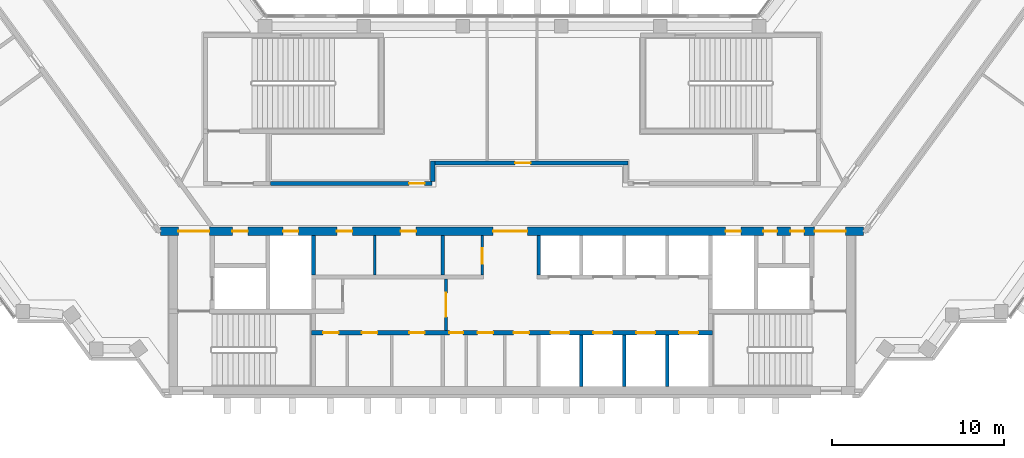
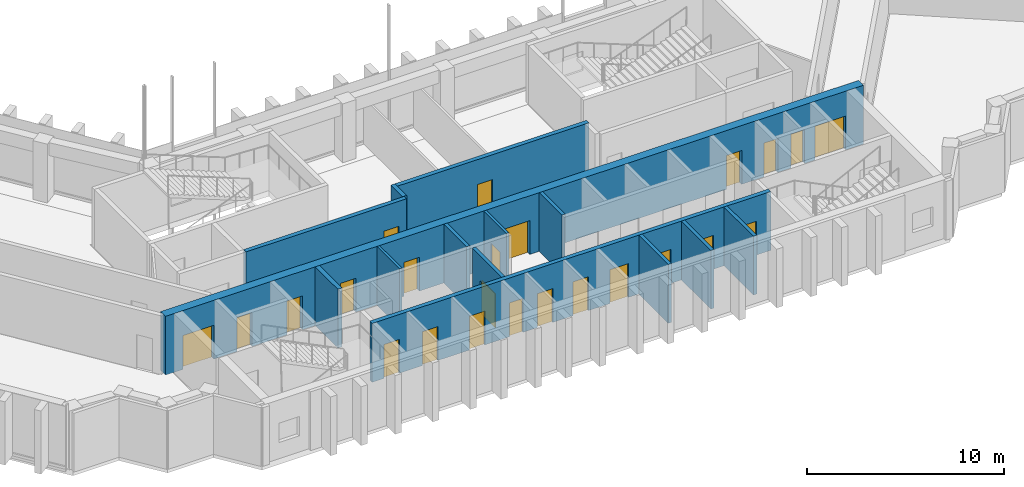
# One storey, part 8 of 13: 24 doors, 14 walls, 24 openings.
"""IFC4 building model written with IfcOpenShell, lengths in metres."""

from ifc_helpers import new_model, si_unit, direction, frame, frame_2d, origin, place, context, subcontext, project, spatial, rectangle, extrude, material, layer, layer_set, type_object, element, fill, save


model = new_model("IFC4")

# Units and contexts
model_context = context("Model", 3, precision=1e-05, world=origin(), true_north=direction((0.0, 1.0)))
body_context = subcontext(model_context, "Body", "Model", "MODEL_VIEW")
ifc_project = project(units=[si_unit("LENGTHUNIT", "METRE"), si_unit("AREAUNIT", "SQUARE_METRE"), si_unit("VOLUMEUNIT", "CUBIC_METRE"), si_unit("PLANEANGLEUNIT", "RADIAN"), si_unit("MASSUNIT", "GRAM", prefix="KILO")], contexts=[model_context])

# Site, building, storey
site_placement = place(None, origin())
site = spatial("IfcSite", under=ifc_project, at=site_placement, CompositionType="ELEMENT")
building_placement = place(site_placement, origin())
building = spatial("IfcBuilding", under=site, at=building_placement, Name="Quipu Civic Tower", CompositionType="ELEMENT")
storey_placement = place(building_placement, frame((0.0, 0.0, 148.0)))
storey = spatial("IfcBuildingStorey", under=building, at=storey_placement, Name="L34", CompositionType="ELEMENT", Elevation=148.0)

# Wall, openings, doors
ifc_material_1 = material(Name="Concrete C70/85", Category="concrete")
ifc_layer_1 = layer(ifc_material_1, 0.25)
ifc_layer_set_1 = layer_set([ifc_layer_1], Name="Concrete C70/85")
wall_type_1 = type_object("IfcWallType", Name="Core wall 250", PredefinedType="SHEAR", material=ifc_layer_set_1)
wall_1_placement = place(storey_placement, frame((11.699951171875, -7.375, 0.0), z_axis=(0.0, 0.0, 1.0), x_axis=(-1.0, 0.0, 0.0)))
wall_1 = element("IfcWall", 1, at=wall_1_placement, inside=storey, type_object=wall_type_1, Name="Core wall", PredefinedType="SHEAR", context=body_context, shape_type="SweptSolid", body=[
    extrude(rectangle(XDim=23.39990234375, YDim=0.25, at=frame_2d((11.699951171875, 0.0))), origin(), (0.0, 0.0, 1.0), 3.64990234375),
])
opening_1_placement = place(wall_1_placement, frame((21.81201171875, 0.0, 0.0)))
opening_1 = element("IfcOpeningElement", 2, at=opening_1_placement, cuts=wall_1, Name="Opening CD-01", PredefinedType="OPENING", context=body_context, shape_type="SweptSolid", body=[
    extrude(rectangle(XDim=0.89990234375, YDim=2.10009765625, at=frame_2d((0.449951171875, 1.050048828125))), frame((0.0, 0.135009765625, 0.0), z_axis=(0.0, -1.0, 0.0), x_axis=(1.0, 0.0, 0.0)), (0.0, 0.0, 1.0), 0.27001953125),
])
opening_2_placement = place(wall_1_placement, frame((19.550048828125, 0.0, 0.0)))
opening_2 = element("IfcOpeningElement", 3, at=opening_2_placement, cuts=wall_1, Name="Opening CD-02", PredefinedType="OPENING", context=body_context, shape_type="SweptSolid", body=[
    extrude(rectangle(XDim=0.89990234375, YDim=2.10009765625, at=frame_2d((0.449951171875, 1.050048828125))), frame((0.0, 0.135009765625, 0.0), z_axis=(0.0, -1.0, 0.0), x_axis=(1.0, 0.0, 0.0)), (0.0, 0.0, 1.0), 0.27001953125),
])
opening_3_placement = place(wall_1_placement, frame((16.787109375, 0.0, 0.0)))
opening_3 = element("IfcOpeningElement", 4, at=opening_3_placement, cuts=wall_1, Name="Opening CD-03", PredefinedType="OPENING", context=body_context, shape_type="SweptSolid", body=[
    extrude(rectangle(XDim=0.89990234375, YDim=2.10009765625, at=frame_2d((0.449951171875, 1.050048828125))), frame((0.0, 0.135009765625, 0.0), z_axis=(0.0, -1.0, 0.0), x_axis=(1.0, 0.0, 0.0)), (0.0, 0.0, 1.0), 0.27001953125),
])
opening_4_placement = place(wall_1_placement, frame((14.550048828125, 0.0, 0.0)))
opening_4 = element("IfcOpeningElement", 5, at=opening_4_placement, cuts=wall_1, Name="Opening CD-04", PredefinedType="OPENING", context=body_context, shape_type="SweptSolid", body=[
    extrude(rectangle(XDim=0.800048828125, YDim=2.10009765625, at=frame_2d((0.39990234375, 1.050048828125))), frame((0.0, 0.135009765625, 0.0), z_axis=(0.0, -1.0, 0.0), x_axis=(1.0, 0.0, 0.0)), (0.0, 0.0, 1.0), 0.27001953125),
])
opening_5_placement = place(wall_1_placement, frame((12.800048828125, 0.0, 0.0)))
opening_5 = element("IfcOpeningElement", 6, at=opening_5_placement, cuts=wall_1, Name="Opening CD-05", PredefinedType="OPENING", context=body_context, shape_type="SweptSolid", body=[
    extrude(rectangle(XDim=0.89990234375, YDim=2.10009765625, at=frame_2d((0.449951171875, 1.050048828125))), frame((0.0, 0.135009765625, 0.0), z_axis=(0.0, -1.0, 0.0), x_axis=(1.0, 0.0, 0.0)), (0.0, 0.0, 1.0), 0.27001953125),
])
opening_6_placement = place(wall_1_placement, frame((10.699951171875, 0.0, 0.0)))
opening_6 = element("IfcOpeningElement", 7, at=opening_6_placement, cuts=wall_1, Name="Opening CD-06", PredefinedType="OPENING", context=body_context, shape_type="SweptSolid", body=[
    extrude(rectangle(XDim=0.89990234375, YDim=2.10009765625, at=frame_2d((0.449951171875, 1.050048828125))), frame((0.0, 0.135009765625, 0.0), z_axis=(0.0, -1.0, 0.0), x_axis=(1.0, 0.0, 0.0)), (0.0, 0.0, 1.0), 0.27001953125),
])
opening_7_placement = place(wall_1_placement, frame((8.35009765625, 0.0, 0.0)))
opening_7 = element("IfcOpeningElement", 8, at=opening_7_placement, cuts=wall_1, Name="Opening LD-ML1", PredefinedType="OPENING", context=body_context, shape_type="SweptSolid", body=[
    extrude(rectangle(XDim=1.10009765625, YDim=2.10009765625, at=frame_2d((0.550048828125, 1.050048828125))), frame((0.0, 0.135009765625, 0.0), z_axis=(0.0, -1.0, 0.0), x_axis=(1.0, 0.0, 0.0)), (0.0, 0.0, 1.0), 0.27001953125),
])
opening_8_placement = place(wall_1_placement, frame((5.85009765625, 0.0, 0.0)))
opening_8 = element("IfcOpeningElement", 9, at=opening_8_placement, cuts=wall_1, Name="Opening LD-ML2", PredefinedType="OPENING", context=body_context, shape_type="SweptSolid", body=[
    extrude(rectangle(XDim=1.10009765625, YDim=2.10009765625, at=frame_2d((0.550048828125, 1.050048828125))), frame((0.0, 0.135009765625, 0.0), z_axis=(0.0, -1.0, 0.0), x_axis=(1.0, 0.0, 0.0)), (0.0, 0.0, 1.0), 0.27001953125),
])
opening_9_placement = place(wall_1_placement, frame((3.35009765625, 0.0, 0.0)))
opening_9 = element("IfcOpeningElement", 10, at=opening_9_placement, cuts=wall_1, Name="Opening LD-ML3", PredefinedType="OPENING", context=body_context, shape_type="SweptSolid", body=[
    extrude(rectangle(XDim=1.10009765625, YDim=2.10009765625, at=frame_2d((0.550048828125, 1.050048828125))), frame((0.0, 0.135009765625, 0.0), z_axis=(0.0, -1.0, 0.0), x_axis=(1.0, 0.0, 0.0)), (0.0, 0.0, 1.0), 0.27001953125),
])
opening_10_placement = place(wall_1_placement, frame((0.85009765625, 0.0, 0.0)))
opening_10 = element("IfcOpeningElement", 11, at=opening_10_placement, cuts=wall_1, Name="Opening LD-ML4", PredefinedType="OPENING", context=body_context, shape_type="SweptSolid", body=[
    extrude(rectangle(XDim=1.10009765625, YDim=2.10009765625, at=frame_2d((0.550048828125, 1.050048828125))), frame((0.0, 0.135009765625, 0.0), z_axis=(0.0, -1.0, 0.0), x_axis=(1.0, 0.0, 0.0)), (0.0, 0.0, 1.0), 0.27001953125),
])
ifc_material_2 = material(Name="Fire rated steel door", Category="steel")
door_type_1 = type_object("IfcDoorType", Name="Fire door FD60 800 x 2100", OperationType="NOTDEFINED", PredefinedType="DOOR", material=ifc_material_2)
door_1_placement = place(opening_4_placement, origin())
door_1 = element("IfcDoor", 12, at=door_1_placement, inside=storey, type_object=door_type_1, Name="Door", OperationType="SINGLE_SWING_RIGHT", OverallHeight=2.10009765625, OverallWidth=0.800048828125, PredefinedType="DOOR", context=body_context, shape_type="SweptSolid", body=[
    extrude(rectangle(XDim=0.800048828125, YDim=2.10009765625, at=frame_2d((0.39990234375, 1.050048828125))), frame((0.0, 0.02490234375, 0.0), z_axis=(0.0, -1.0, 0.0), x_axis=(1.0, 0.0, 0.0)), (0.0, 0.0, 1.0), 0.050048828125),
])
fill(opening_4, door_1)
ifc_material_3 = material(Name="Fire rated steel door", Category="steel")
door_type_2 = type_object("IfcDoorType", Name="Fire door FD60 900 x 2100", OperationType="NOTDEFINED", PredefinedType="DOOR", material=ifc_material_3)
door_2_placement = place(opening_1_placement, origin())
door_2 = element("IfcDoor", 13, at=door_2_placement, inside=storey, type_object=door_type_2, Name="Door", OperationType="SINGLE_SWING_RIGHT", OverallHeight=2.10009765625, OverallWidth=0.89990234375, PredefinedType="DOOR", context=body_context, shape_type="SweptSolid", body=[
    extrude(rectangle(XDim=0.89990234375, YDim=2.10009765625, at=frame_2d((0.449951171875, 1.050048828125))), frame((0.0, 0.02490234375, 0.0), z_axis=(0.0, -1.0, 0.0), x_axis=(1.0, 0.0, 0.0)), (0.0, 0.0, 1.0), 0.050048828125),
])
fill(opening_1, door_2)
door_3_placement = place(opening_2_placement, origin())
door_3 = element("IfcDoor", 14, at=door_3_placement, inside=storey, type_object=door_type_2, Name="Door", OperationType="SINGLE_SWING_RIGHT", OverallHeight=2.10009765625, OverallWidth=0.89990234375, PredefinedType="DOOR", context=body_context, shape_type="SweptSolid", body=[
    extrude(rectangle(XDim=0.89990234375, YDim=2.10009765625, at=frame_2d((0.449951171875, 1.050048828125))), frame((0.0, 0.02490234375, 0.0), z_axis=(0.0, -1.0, 0.0), x_axis=(1.0, 0.0, 0.0)), (0.0, 0.0, 1.0), 0.050048828125),
])
fill(opening_2, door_3)
door_4_placement = place(opening_3_placement, origin())
door_4 = element("IfcDoor", 15, at=door_4_placement, inside=storey, type_object=door_type_2, Name="Door", OperationType="SINGLE_SWING_RIGHT", OverallHeight=2.10009765625, OverallWidth=0.89990234375, PredefinedType="DOOR", context=body_context, shape_type="SweptSolid", body=[
    extrude(rectangle(XDim=0.89990234375, YDim=2.10009765625, at=frame_2d((0.449951171875, 1.050048828125))), frame((0.0, 0.02490234375, 0.0), z_axis=(0.0, -1.0, 0.0), x_axis=(1.0, 0.0, 0.0)), (0.0, 0.0, 1.0), 0.050048828125),
])
fill(opening_3, door_4)
door_5_placement = place(opening_5_placement, origin())
door_5 = element("IfcDoor", 16, at=door_5_placement, inside=storey, type_object=door_type_2, Name="WC door", OperationType="SINGLE_SWING_RIGHT", OverallHeight=2.10009765625, OverallWidth=0.89990234375, PredefinedType="DOOR", context=body_context, shape_type="SweptSolid", body=[
    extrude(rectangle(XDim=0.89990234375, YDim=2.10009765625, at=frame_2d((0.449951171875, 1.050048828125))), frame((0.0, 0.02490234375, 0.0), z_axis=(0.0, -1.0, 0.0), x_axis=(1.0, 0.0, 0.0)), (0.0, 0.0, 1.0), 0.050048828125),
])
fill(opening_5, door_5)
door_6_placement = place(opening_6_placement, origin())
door_6 = element("IfcDoor", 17, at=door_6_placement, inside=storey, type_object=door_type_2, Name="WC door", OperationType="SINGLE_SWING_LEFT", OverallHeight=2.10009765625, OverallWidth=0.89990234375, PredefinedType="DOOR", context=body_context, shape_type="SweptSolid", body=[
    extrude(rectangle(XDim=0.89990234375, YDim=2.10009765625, at=frame_2d((0.449951171875, 1.050048828125))), frame((0.0, 0.02490234375, 0.0), z_axis=(0.0, -1.0, 0.0), x_axis=(1.0, 0.0, 0.0)), (0.0, 0.0, 1.0), 0.050048828125),
])
fill(opening_6, door_6)
ifc_material_4 = material(Name="Stainless steel", Category="steel")
door_type_3 = type_object("IfcDoorType", Name="Lift landing door 1100 x 2100", OperationType="DOUBLE_DOOR_SLIDING", PredefinedType="DOOR", material=ifc_material_4)
door_7_placement = place(opening_7_placement, origin())
door_7 = element("IfcDoor", 18, at=door_7_placement, inside=storey, type_object=door_type_3, Name="Landing door ML1", OperationType="DOUBLE_DOOR_SLIDING", OverallHeight=2.10009765625, OverallWidth=1.10009765625, PredefinedType="DOOR", context=body_context, shape_type="SweptSolid", body=[
    extrude(rectangle(XDim=1.10009765625, YDim=2.10009765625, at=frame_2d((0.550048828125, 1.050048828125))), frame((0.0, 0.02490234375, 0.0), z_axis=(0.0, -1.0, 0.0), x_axis=(1.0, 0.0, 0.0)), (0.0, 0.0, 1.0), 0.050048828125),
])
fill(opening_7, door_7)
door_8_placement = place(opening_8_placement, origin())
door_8 = element("IfcDoor", 19, at=door_8_placement, inside=storey, type_object=door_type_3, Name="Landing door ML2", OperationType="DOUBLE_DOOR_SLIDING", OverallHeight=2.10009765625, OverallWidth=1.10009765625, PredefinedType="DOOR", context=body_context, shape_type="SweptSolid", body=[
    extrude(rectangle(XDim=1.10009765625, YDim=2.10009765625, at=frame_2d((0.550048828125, 1.050048828125))), frame((0.0, 0.02490234375, 0.0), z_axis=(0.0, -1.0, 0.0), x_axis=(1.0, 0.0, 0.0)), (0.0, 0.0, 1.0), 0.050048828125),
])
fill(opening_8, door_8)
door_9_placement = place(opening_9_placement, origin())
door_9 = element("IfcDoor", 20, at=door_9_placement, inside=storey, type_object=door_type_3, Name="Landing door ML3", OperationType="DOUBLE_DOOR_SLIDING", OverallHeight=2.10009765625, OverallWidth=1.10009765625, PredefinedType="DOOR", context=body_context, shape_type="SweptSolid", body=[
    extrude(rectangle(XDim=1.10009765625, YDim=2.10009765625, at=frame_2d((0.550048828125, 1.050048828125))), frame((0.0, 0.02490234375, 0.0), z_axis=(0.0, -1.0, 0.0), x_axis=(1.0, 0.0, 0.0)), (0.0, 0.0, 1.0), 0.050048828125),
])
fill(opening_9, door_9)
door_10_placement = place(opening_10_placement, origin())
door_10 = element("IfcDoor", 21, at=door_10_placement, inside=storey, type_object=door_type_3, Name="Landing door ML4", OperationType="DOUBLE_DOOR_SLIDING", OverallHeight=2.10009765625, OverallWidth=1.10009765625, PredefinedType="DOOR", context=body_context, shape_type="SweptSolid", body=[
    extrude(rectangle(XDim=1.10009765625, YDim=2.10009765625, at=frame_2d((0.550048828125, 1.050048828125))), frame((0.0, 0.02490234375, 0.0), z_axis=(0.0, -1.0, 0.0), x_axis=(1.0, 0.0, 0.0)), (0.0, 0.0, 1.0), 0.050048828125),
])
fill(opening_10, door_10)

# Wall
wall_2_placement = place(storey_placement, frame((-11.574951171875, -4.0, 0.0), z_axis=(0.0, 0.0, 1.0), x_axis=(0.0, 1.0, 0.0)))
element("IfcWall", 22, at=wall_2_placement, inside=storey, type_object=wall_type_1, Name="Core wall", PredefinedType="SHEAR", context=body_context, shape_type="SweptSolid", body=[
    extrude(rectangle(XDim=2.300048828125, YDim=0.25, at=frame_2d((1.14990234375, 0.0))), origin(), (0.0, 0.0, 1.0), 3.64990234375),
])

# Wall, openings, doors
ifc_material_5 = material(Name="Concrete C70/85", Category="concrete")
ifc_layer_2 = layer(ifc_material_5, 0.5)
ifc_layer_set_2 = layer_set([ifc_layer_2], Name="Concrete C70/85")
wall_type_2 = type_object("IfcWallType", Name="Core wall 500", PredefinedType="SHEAR", material=ifc_layer_set_2)
wall_3_placement = place(storey_placement, frame((20.489990234375, -1.449951171875, 0.0), z_axis=(0.0, 0.0, 1.0), x_axis=(-1.0, 0.0, 0.0)))
wall_3 = element("IfcWall", 23, at=wall_3_placement, inside=storey, type_object=wall_type_2, Name="Core wall", PredefinedType="SHEAR", context=body_context, shape_type="SweptSolid", body=[
    extrude(rectangle(XDim=40.97998046875, YDim=0.5, at=frame_2d((20.489990234375, 0.0))), origin(), (0.0, 0.0, 1.0), 3.64990234375),
])
opening_11_placement = place(wall_3_placement, frame((38.139892578125, 0.0, 0.0)))
opening_11 = element("IfcOpeningElement", 24, at=opening_11_placement, cuts=wall_3, Name="Opening CD-12", PredefinedType="OPENING", context=body_context, shape_type="SweptSolid", body=[
    extrude(rectangle(XDim=1.800048828125, YDim=2.10009765625, at=frame_2d((0.89990234375, 1.050048828125))), frame((0.0, 0.260009765625, 0.0), z_axis=(0.0, -1.0, 0.0), x_axis=(1.0, 0.0, 0.0)), (0.0, 0.0, 1.0), 0.52001953125),
])
opening_12_placement = place(wall_3_placement, frame((35.889892578125, 0.0, 0.0)))
opening_12 = element("IfcOpeningElement", 25, at=opening_12_placement, cuts=wall_3, Name="Opening CD-13", PredefinedType="OPENING", context=body_context, shape_type="SweptSolid", body=[
    extrude(rectangle(XDim=0.89990234375, YDim=2.10009765625, at=frame_2d((0.449951171875, 1.050048828125))), frame((0.0, 0.260009765625, 0.0), z_axis=(0.0, -1.0, 0.0), x_axis=(1.0, 0.0, 0.0)), (0.0, 0.0, 1.0), 0.52001953125),
])
opening_13_placement = place(wall_3_placement, frame((32.93994140625, 0.0, 0.0)))
opening_13 = element("IfcOpeningElement", 26, at=opening_13_placement, cuts=wall_3, Name="Opening CD-14", PredefinedType="OPENING", context=body_context, shape_type="SweptSolid", body=[
    extrude(rectangle(XDim=0.89990234375, YDim=2.10009765625, at=frame_2d((0.449951171875, 1.050048828125))), frame((0.0, 0.260009765625, 0.0), z_axis=(0.0, -1.0, 0.0), x_axis=(1.0, 0.0, 0.0)), (0.0, 0.0, 1.0), 0.52001953125),
])
opening_14_placement = place(wall_3_placement, frame((29.802490234375, 0.0, 0.0)))
opening_14 = element("IfcOpeningElement", 27, at=opening_14_placement, cuts=wall_3, Name="Opening CD-15", PredefinedType="OPENING", context=body_context, shape_type="SweptSolid", body=[
    extrude(rectangle(XDim=0.89990234375, YDim=2.10009765625, at=frame_2d((0.449951171875, 1.050048828125))), frame((0.0, 0.260009765625, 0.0), z_axis=(0.0, -1.0, 0.0), x_axis=(1.0, 0.0, 0.0)), (0.0, 0.0, 1.0), 0.52001953125),
])
opening_15_placement = place(wall_3_placement, frame((26.077392578125, 0.0, 0.0)))
opening_15 = element("IfcOpeningElement", 28, at=opening_15_placement, cuts=wall_3, Name="Opening CD-16", PredefinedType="OPENING", context=body_context, shape_type="SweptSolid", body=[
    extrude(rectangle(XDim=0.89990234375, YDim=2.10009765625, at=frame_2d((0.449951171875, 1.050048828125))), frame((0.0, 0.260009765625, 0.0), z_axis=(0.0, -1.0, 0.0), x_axis=(1.0, 0.0, 0.0)), (0.0, 0.0, 1.0), 0.52001953125),
])
opening_16_placement = place(wall_3_placement, frame((19.590087890625, 0.0, 0.0)))
opening_16 = element("IfcOpeningElement", 29, at=opening_16_placement, cuts=wall_3, Name="Opening CD-17", PredefinedType="OPENING", context=body_context, shape_type="SweptSolid", body=[
    extrude(rectangle(XDim=2.0, YDim=2.10009765625, at=frame_2d((1.0, 1.050048828125))), frame((0.0, 0.260009765625, 0.0), z_axis=(0.0, -1.0, 0.0), x_axis=(1.0, 0.0, 0.0)), (0.0, 0.0, 1.0), 0.52001953125),
])
opening_17_placement = place(wall_3_placement, frame((7.139892578125, 0.0, 0.0)))
opening_17 = element("IfcOpeningElement", 30, at=opening_17_placement, cuts=wall_3, Name="Opening CD-18", PredefinedType="OPENING", context=body_context, shape_type="SweptSolid", body=[
    extrude(rectangle(XDim=0.89990234375, YDim=2.10009765625, at=frame_2d((0.449951171875, 1.050048828125))), frame((0.0, 0.260009765625, 0.0), z_axis=(0.0, -1.0, 0.0), x_axis=(1.0, 0.0, 0.0)), (0.0, 0.0, 1.0), 0.52001953125),
])
opening_18_placement = place(wall_3_placement, frame((5.027587890625, 0.0, 0.0)))
opening_18 = element("IfcOpeningElement", 31, at=opening_18_placement, cuts=wall_3, Name="Opening CD-19", PredefinedType="OPENING", context=body_context, shape_type="SweptSolid", body=[
    extrude(rectangle(XDim=0.800048828125, YDim=2.10009765625, at=frame_2d((0.39990234375, 1.050048828125))), frame((0.0, 0.260009765625, 0.0), z_axis=(0.0, -1.0, 0.0), x_axis=(1.0, 0.0, 0.0)), (0.0, 0.0, 1.0), 0.52001953125),
])
opening_19_placement = place(wall_3_placement, frame((3.452392578125, 0.0, 0.0)))
opening_19 = element("IfcOpeningElement", 32, at=opening_19_placement, cuts=wall_3, Name="Opening CD-20", PredefinedType="OPENING", context=body_context, shape_type="SweptSolid", body=[
    extrude(rectangle(XDim=0.800048828125, YDim=2.10009765625, at=frame_2d((0.39990234375, 1.050048828125))), frame((0.0, 0.260009765625, 0.0), z_axis=(0.0, -1.0, 0.0), x_axis=(1.0, 0.0, 0.0)), (0.0, 0.0, 1.0), 0.52001953125),
])
opening_20_placement = place(wall_3_placement, frame((1.0400390625, 0.0, 0.0)))
opening_20 = element("IfcOpeningElement", 33, at=opening_20_placement, cuts=wall_3, Name="Opening CD-21", PredefinedType="OPENING", context=body_context, shape_type="SweptSolid", body=[
    extrude(rectangle(XDim=1.800048828125, YDim=2.10009765625, at=frame_2d((0.89990234375, 1.050048828125))), frame((0.0, 0.260009765625, 0.0), z_axis=(0.0, -1.0, 0.0), x_axis=(1.0, 0.0, 0.0)), (0.0, 0.0, 1.0), 0.52001953125),
])
door_11_placement = place(opening_18_placement, origin())
door_11 = element("IfcDoor", 34, at=door_11_placement, inside=storey, type_object=door_type_1, Name="Door", OperationType="SINGLE_SWING_LEFT", OverallHeight=2.10009765625, OverallWidth=0.800048828125, PredefinedType="DOOR", context=body_context, shape_type="SweptSolid", body=[
    extrude(rectangle(XDim=0.800048828125, YDim=2.10009765625, at=frame_2d((0.39990234375, 1.050048828125))), frame((0.0, 0.02490234375, 0.0), z_axis=(0.0, -1.0, 0.0), x_axis=(1.0, 0.0, 0.0)), (0.0, 0.0, 1.0), 0.050048828125),
])
fill(opening_18, door_11)
door_12_placement = place(opening_19_placement, origin())
door_12 = element("IfcDoor", 35, at=door_12_placement, inside=storey, type_object=door_type_1, Name="Door", OperationType="SINGLE_SWING_LEFT", OverallHeight=2.10009765625, OverallWidth=0.800048828125, PredefinedType="DOOR", context=body_context, shape_type="SweptSolid", body=[
    extrude(rectangle(XDim=0.800048828125, YDim=2.10009765625, at=frame_2d((0.39990234375, 1.050048828125))), frame((0.0, 0.02490234375, 0.0), z_axis=(0.0, -1.0, 0.0), x_axis=(1.0, 0.0, 0.0)), (0.0, 0.0, 1.0), 0.050048828125),
])
fill(opening_19, door_12)
door_13_placement = place(opening_12_placement, origin())
door_13 = element("IfcDoor", 36, at=door_13_placement, inside=storey, type_object=door_type_2, Name="Door", OperationType="SINGLE_SWING_RIGHT", OverallHeight=2.10009765625, OverallWidth=0.89990234375, PredefinedType="DOOR", context=body_context, shape_type="SweptSolid", body=[
    extrude(rectangle(XDim=0.89990234375, YDim=2.10009765625, at=frame_2d((0.449951171875, 1.050048828125))), frame((0.0, 0.02490234375, 0.0), z_axis=(0.0, -1.0, 0.0), x_axis=(1.0, 0.0, 0.0)), (0.0, 0.0, 1.0), 0.050048828125),
])
fill(opening_12, door_13)
door_14_placement = place(opening_13_placement, origin())
door_14 = element("IfcDoor", 37, at=door_14_placement, inside=storey, type_object=door_type_2, Name="Riser door", OperationType="SINGLE_SWING_RIGHT", OverallHeight=2.10009765625, OverallWidth=0.89990234375, PredefinedType="DOOR", context=body_context, shape_type="SweptSolid", body=[
    extrude(rectangle(XDim=0.89990234375, YDim=2.10009765625, at=frame_2d((0.449951171875, 1.050048828125))), frame((0.0, 0.02490234375, 0.0), z_axis=(0.0, -1.0, 0.0), x_axis=(1.0, 0.0, 0.0)), (0.0, 0.0, 1.0), 0.050048828125),
])
fill(opening_13, door_14)
door_15_placement = place(opening_14_placement, origin())
door_15 = element("IfcDoor", 38, at=door_15_placement, inside=storey, type_object=door_type_2, Name="Door", OperationType="SINGLE_SWING_RIGHT", OverallHeight=2.10009765625, OverallWidth=0.89990234375, PredefinedType="DOOR", context=body_context, shape_type="SweptSolid", body=[
    extrude(rectangle(XDim=0.89990234375, YDim=2.10009765625, at=frame_2d((0.449951171875, 1.050048828125))), frame((0.0, 0.02490234375, 0.0), z_axis=(0.0, -1.0, 0.0), x_axis=(1.0, 0.0, 0.0)), (0.0, 0.0, 1.0), 0.050048828125),
])
fill(opening_14, door_15)
door_16_placement = place(opening_15_placement, origin())
door_16 = element("IfcDoor", 39, at=door_16_placement, inside=storey, type_object=door_type_2, Name="Door", OperationType="SINGLE_SWING_RIGHT", OverallHeight=2.10009765625, OverallWidth=0.89990234375, PredefinedType="DOOR", context=body_context, shape_type="SweptSolid", body=[
    extrude(rectangle(XDim=0.89990234375, YDim=2.10009765625, at=frame_2d((0.449951171875, 1.050048828125))), frame((0.0, 0.02490234375, 0.0), z_axis=(0.0, -1.0, 0.0), x_axis=(1.0, 0.0, 0.0)), (0.0, 0.0, 1.0), 0.050048828125),
])
fill(opening_15, door_16)
door_17_placement = place(opening_17_placement, origin())
door_17 = element("IfcDoor", 40, at=door_17_placement, inside=storey, type_object=door_type_2, Name="Riser door", OperationType="SINGLE_SWING_LEFT", OverallHeight=2.10009765625, OverallWidth=0.89990234375, PredefinedType="DOOR", context=body_context, shape_type="SweptSolid", body=[
    extrude(rectangle(XDim=0.89990234375, YDim=2.10009765625, at=frame_2d((0.449951171875, 1.050048828125))), frame((0.0, 0.02490234375, 0.0), z_axis=(0.0, -1.0, 0.0), x_axis=(1.0, 0.0, 0.0)), (0.0, 0.0, 1.0), 0.050048828125),
])
fill(opening_17, door_17)
ifc_material_6 = material(Name="Fire rated steel door", Category="steel")
door_type_4 = type_object("IfcDoorType", Name="Fire door FD90 double 1800 x 2100", OperationType="NOTDEFINED", PredefinedType="DOOR", material=ifc_material_6)
door_18_placement = place(opening_11_placement, origin())
door_18 = element("IfcDoor", 41, at=door_18_placement, inside=storey, type_object=door_type_4, Name="Lobby door", OperationType="DOUBLE_DOOR_SINGLE_SWING", OverallHeight=2.10009765625, OverallWidth=1.800048828125, PredefinedType="DOOR", context=body_context, shape_type="SweptSolid", body=[
    extrude(rectangle(XDim=1.800048828125, YDim=2.10009765625, at=frame_2d((0.89990234375, 1.050048828125))), frame((0.0, 0.02490234375, 0.0), z_axis=(0.0, -1.0, 0.0), x_axis=(1.0, 0.0, 0.0)), (0.0, 0.0, 1.0), 0.050048828125),
])
fill(opening_11, door_18)
door_19_placement = place(opening_20_placement, origin())
door_19 = element("IfcDoor", 42, at=door_19_placement, inside=storey, type_object=door_type_4, Name="Lobby door", OperationType="DOUBLE_DOOR_SINGLE_SWING", OverallHeight=2.10009765625, OverallWidth=1.800048828125, PredefinedType="DOOR", context=body_context, shape_type="SweptSolid", body=[
    extrude(rectangle(XDim=1.800048828125, YDim=2.10009765625, at=frame_2d((0.89990234375, 1.050048828125))), frame((0.0, 0.02490234375, 0.0), z_axis=(0.0, -1.0, 0.0), x_axis=(1.0, 0.0, 0.0)), (0.0, 0.0, 1.0), 0.050048828125),
])
fill(opening_20, door_19)
ifc_material_7 = material(Name="Fire rated steel door", Category="steel")
door_type_5 = type_object("IfcDoorType", Name="Fire door FD90 double 2000 x 2100", OperationType="NOTDEFINED", PredefinedType="DOOR", material=ifc_material_7)
door_20_placement = place(opening_16_placement, origin())
door_20 = element("IfcDoor", 43, at=door_20_placement, inside=storey, type_object=door_type_5, Name="Lobby door", OperationType="DOUBLE_DOOR_SINGLE_SWING", OverallHeight=2.10009765625, OverallWidth=2.0, PredefinedType="DOOR", context=body_context, shape_type="SweptSolid", body=[
    extrude(rectangle(XDim=2.0, YDim=2.10009765625, at=frame_2d((1.0, 1.050048828125))), frame((0.0, 0.02490234375, 0.0), z_axis=(0.0, -1.0, 0.0), x_axis=(1.0, 0.0, 0.0)), (0.0, 0.0, 1.0), 0.050048828125),
])
fill(opening_16, door_20)

# Wall, opening, door
ifc_material_8 = material(Name="Concrete C50/60", Category="concrete")
ifc_layer_3 = layer(ifc_material_8, 0.25)
ifc_layer_set_3 = layer_set([ifc_layer_3], Name="Concrete C50/60")
wall_type_3 = type_object("IfcWallType", Name="Corridor wall 250 concrete", PredefinedType="SOLIDWALL", material=ifc_layer_set_3)
wall_4_placement = place(storey_placement, frame((-14.090087890625, 1.324951171875, 0.0), z_axis=(0.0, 0.0, 1.0), x_axis=(1.0, 0.0, 0.0)))
wall_4 = element("IfcWall", 44, at=wall_4_placement, inside=storey, type_object=wall_type_3, Name="Corridor wall C07", PredefinedType="SOLIDWALL", context=body_context, shape_type="SweptSolid", body=[
    extrude(rectangle(XDim=9.431396484375, YDim=0.25, at=frame_2d((4.7158203125, 0.0))), origin(), (0.0, 0.0, 1.0), 3.64990234375),
])
opening_21_placement = place(wall_4_placement, frame((8.090087890625, 0.0, 0.0)))
opening_21 = element("IfcOpeningElement", 45, at=opening_21_placement, cuts=wall_4, Name="Opening D008", PredefinedType="OPENING", context=body_context, shape_type="SweptSolid", body=[
    extrude(rectangle(XDim=0.89990234375, YDim=2.10009765625, at=frame_2d((0.449951171875, 1.050048828125))), frame((0.0, 0.135009765625, 0.0), z_axis=(0.0, -1.0, 0.0), x_axis=(1.0, 0.0, 0.0)), (0.0, 0.0, 1.0), 0.27001953125),
])
ifc_material_9 = material(Name="Fire rated timber door set with metal frame", Category="wood")
door_type_6 = type_object("IfcDoorType", Name="Single door 900 x 2100 FD60", OperationType="NOTDEFINED", PredefinedType="DOOR", material=ifc_material_9)
door_21_placement = place(opening_21_placement, origin())
door_21 = element("IfcDoor", 46, at=door_21_placement, inside=storey, type_object=door_type_6, Name="Door D008", OperationType="SINGLE_SWING_RIGHT", OverallHeight=2.10009765625, OverallWidth=0.89990234375, PredefinedType="DOOR", context=body_context, shape_type="SweptSolid", body=[
    extrude(rectangle(XDim=0.89990234375, YDim=2.10009765625, at=frame_2d((0.449951171875, 1.050048828125))), frame((0.0, 0.02490234375, 0.0), z_axis=(0.0, -1.0, 0.0), x_axis=(1.0, 0.0, 0.0)), (0.0, 0.0, 1.0), 0.050048828125),
])
fill(opening_21, door_21)

# Wall
wall_5_placement = place(storey_placement, frame((-4.625, 1.45361328125, 0.0), z_axis=(0.0, 0.0, 1.0), x_axis=(0.0, 1.0, 0.0)))
element("IfcWall", 47, at=wall_5_placement, inside=storey, type_object=wall_type_3, Name="Corridor wall C08", PredefinedType="SOLIDWALL", context=body_context, shape_type="SweptSolid", body=[
    extrude(rectangle(XDim=1.1962890625, YDim=0.25, at=frame_2d((0.59814453125, 0.0))), origin(), (0.0, 0.0, 1.0), 3.64990234375),
])

# Wall, opening, door
wall_6_placement = place(storey_placement, frame((-4.5, 2.52490234375, 0.0), z_axis=(0.0, 0.0, 1.0), x_axis=(1.0, 0.0, 0.0)))
wall_6 = element("IfcWall", 48, at=wall_6_placement, inside=storey, type_object=wall_type_3, Name="Corridor wall C09", PredefinedType="SOLIDWALL", context=body_context, shape_type="SweptSolid", body=[
    extrude(rectangle(XDim=11.25, YDim=0.25, at=frame_2d((5.625, 0.0))), origin(), (0.0, 0.0, 1.0), 3.64990234375),
])
opening_22_placement = place(wall_6_placement, frame((4.68896484375, 0.0, 0.0)))
opening_22 = element("IfcOpeningElement", 49, at=opening_22_placement, cuts=wall_6, Name="Opening D009", PredefinedType="OPENING", context=body_context, shape_type="SweptSolid", body=[
    extrude(rectangle(XDim=0.89990234375, YDim=2.10009765625, at=frame_2d((0.449951171875, 1.050048828125))), frame((0.0, 0.135009765625, 0.0), z_axis=(0.0, -1.0, 0.0), x_axis=(1.0, 0.0, 0.0)), (0.0, 0.0, 1.0), 0.27001953125),
])
door_22_placement = place(opening_22_placement, origin())
door_22 = element("IfcDoor", 50, at=door_22_placement, inside=storey, type_object=door_type_6, Name="Door D009", OperationType="SINGLE_SWING_RIGHT", OverallHeight=2.10009765625, OverallWidth=0.89990234375, PredefinedType="DOOR", context=body_context, shape_type="SweptSolid", body=[
    extrude(rectangle(XDim=0.89990234375, YDim=2.10009765625, at=frame_2d((0.449951171875, 1.050048828125))), frame((0.0, 0.02490234375, 0.0), z_axis=(0.0, -1.0, 0.0), x_axis=(1.0, 0.0, 0.0)), (0.0, 0.0, 1.0), 0.050048828125),
])
fill(opening_22, door_22)

# Wall
ifc_material_10 = material(Name="Gypsum board partition")
ifc_layer_4 = layer(ifc_material_10, 0.14990234375)
ifc_layer_set_4 = layer_set([ifc_layer_4], Name="Gypsum board partition")
wall_type_4 = type_object("IfcWallType", Name="Partition 150", PredefinedType="PARTITIONING", material=ifc_layer_set_4)
wall_7_placement = place(storey_placement, frame((-8.0, -4.0, 0.0), z_axis=(0.0, 0.0, 1.0), x_axis=(0.0, 1.0, 0.0)))
element("IfcWall", 51, at=wall_7_placement, inside=storey, type_object=wall_type_4, Name="Partition", PredefinedType="PARTITIONING", context=body_context, shape_type="SweptSolid", body=[
    extrude(rectangle(XDim=2.300048828125, YDim=0.14990234375, at=frame_2d((1.14990234375, 0.0))), origin(), (0.0, 0.0, 1.0), 3.64990234375),
])

# Wall, opening, door
wall_8_placement = place(storey_placement, frame((-1.72509765625, -1.699951171875, 0.0), z_axis=(0.0, 0.0, 1.0), x_axis=(0.0, -1.0, 0.0)))
wall_8 = element("IfcWall", 52, at=wall_8_placement, inside=storey, type_object=wall_type_4, Name="Partition", PredefinedType="PARTITIONING", context=body_context, shape_type="SweptSolid", body=[
    extrude(rectangle(XDim=2.300048828125, YDim=0.14990234375, at=frame_2d((1.14990234375, 0.0))), origin(), (0.0, 0.0, 1.0), 3.64990234375),
])
opening_23_placement = place(wall_8_placement, frame((0.75, 0.0, 0.0)))
opening_23 = element("IfcOpeningElement", 53, at=opening_23_placement, cuts=wall_8, Name="Opening CD-11", PredefinedType="OPENING", context=body_context, shape_type="SweptSolid", body=[
    extrude(rectangle(XDim=0.89990234375, YDim=2.10009765625, at=frame_2d((0.449951171875, 1.050048828125))), frame((0.0, 0.0849609375, 0.0), z_axis=(0.0, -1.0, 0.0), x_axis=(1.0, 0.0, 0.0)), (0.0, 0.0, 1.0), 0.169921875),
])
door_23_placement = place(opening_23_placement, origin())
door_23 = element("IfcDoor", 54, at=door_23_placement, inside=storey, type_object=door_type_2, Name="WC door", OperationType="SINGLE_SWING_RIGHT", OverallHeight=2.10009765625, OverallWidth=0.89990234375, PredefinedType="DOOR", context=body_context, shape_type="SweptSolid", body=[
    extrude(rectangle(XDim=0.89990234375, YDim=2.10009765625, at=frame_2d((0.449951171875, 1.050048828125))), frame((0.0, 0.02490234375, 0.0), z_axis=(0.0, -1.0, 0.0), x_axis=(1.0, 0.0, 0.0)), (0.0, 0.0, 1.0), 0.050048828125),
])
fill(opening_23, door_23)

# Walls
ifc_material_11 = material(Name="Concrete C40/50", Category="concrete")
ifc_layer_5 = layer(ifc_material_11, 0.199951171875)
ifc_layer_set_5 = layer_set([ifc_layer_5], Name="Concrete C40/50")
wall_type_5 = type_object("IfcWallType", Name="Shaft wall 200", PredefinedType="SOLIDWALL", material=ifc_layer_set_5)
for number, where, z_axis, x_axis, name in (
    (55, (4.050048828125, -10.5, 0.0), (0.0, 0.0, 1.0), (0.0, 1.0, 0.0), "Shaft wall"),
    (56, (6.550048828125, -10.5, 0.0), (0.0, 0.0, 1.0), (0.0, 1.0, 0.0), "Shaft wall"),
    (57, (9.050048828125, -10.5, 0.0), (0.0, 0.0, 1.0), (0.0, 1.0, 0.0), "Shaft wall"),
):
    element("IfcWall", number, at=place(storey_placement, frame(where, z_axis=z_axis, x_axis=x_axis)), inside=storey, type_object=wall_type_5, Name=name, PredefinedType="SOLIDWALL", context=body_context, shape_type="SweptSolid", body=[
        extrude(rectangle(XDim=3.0, YDim=0.199951171875, at=frame_2d((1.5, 0.0))), origin(), (0.0, 0.0, 1.0), 3.64990234375),
    ])

# Wall, opening, door
wall_9_placement = place(storey_placement, frame((-3.85009765625, -4.25, 0.0), z_axis=(0.0, 0.0, 1.0), x_axis=(0.0, -1.0, 0.0)))
wall_9 = element("IfcWall", 58, at=wall_9_placement, inside=storey, type_object=wall_type_5, Name="Shaft wall", PredefinedType="SOLIDWALL", context=body_context, shape_type="SweptSolid", body=[
    extrude(rectangle(XDim=3.0, YDim=0.199951171875, at=frame_2d((1.5, 0.0))), origin(), (0.0, 0.0, 1.0), 3.64990234375),
])
opening_24_placement = place(wall_9_placement, frame((0.800048828125, 0.0, 0.0)))
opening_24 = element("IfcOpeningElement", 59, at=opening_24_placement, cuts=wall_9, Name="Opening CD-09", PredefinedType="OPENING", context=body_context, shape_type="SweptSolid", body=[
    extrude(rectangle(XDim=1.39990234375, YDim=2.10009765625, at=frame_2d((0.699951171875, 1.050048828125))), frame((0.0, 0.10986328125, 0.0), z_axis=(0.0, -1.0, 0.0), x_axis=(1.0, 0.0, 0.0)), (0.0, 0.0, 1.0), 0.219970703125),
])
ifc_material_12 = material(Name="Fire rated steel door", Category="steel")
door_type_7 = type_object("IfcDoorType", Name="Fire door FD60 double 1400 x 2100", OperationType="NOTDEFINED", PredefinedType="DOOR", material=ifc_material_12)
door_24_placement = place(opening_24_placement, origin())
door_24 = element("IfcDoor", 60, at=door_24_placement, inside=storey, type_object=door_type_7, Name="Hall door", OperationType="DOUBLE_DOOR_SINGLE_SWING", OverallHeight=2.10009765625, OverallWidth=1.39990234375, PredefinedType="DOOR", context=body_context, shape_type="SweptSolid", body=[
    extrude(rectangle(XDim=1.39990234375, YDim=2.10009765625, at=frame_2d((0.699951171875, 1.050048828125))), frame((0.0, 0.02490234375, 0.0), z_axis=(0.0, -1.0, 0.0), x_axis=(1.0, 0.0, 0.0)), (0.0, 0.0, 1.0), 0.050048828125),
])
fill(opening_24, door_24)

# Walls
for number, where, z_axis, x_axis, name in (
    (61, (-4.050048828125, -4.0, 0.0), (0.0, 0.0, 1.0), (0.0, 1.0, 0.0), "Shaft wall"),
    (62, (1.550048828125, -4.0, 0.0), (0.0, 0.0, 1.0), (0.0, 1.0, 0.0), "Shaft wall"),
):
    element("IfcWall", number, at=place(storey_placement, frame(where, z_axis=z_axis, x_axis=x_axis)), inside=storey, type_object=wall_type_5, Name=name, PredefinedType="SOLIDWALL", context=body_context, shape_type="SweptSolid", body=[
        extrude(rectangle(XDim=2.300048828125, YDim=0.199951171875, at=frame_2d((1.14990234375, 0.0))), origin(), (0.0, 0.0, 1.0), 3.64990234375),
    ])

save(model, "model.ifc")
